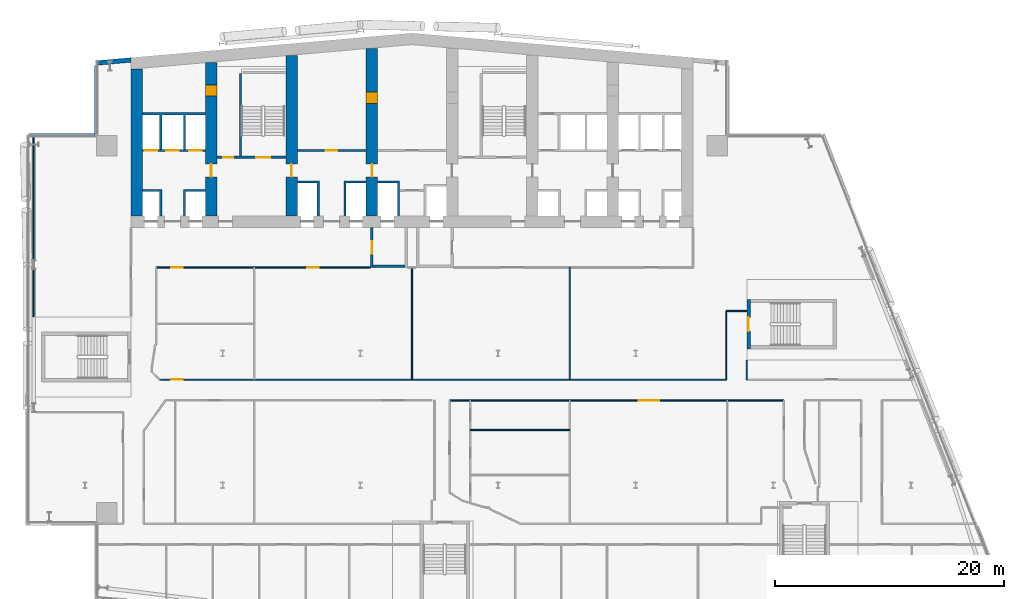
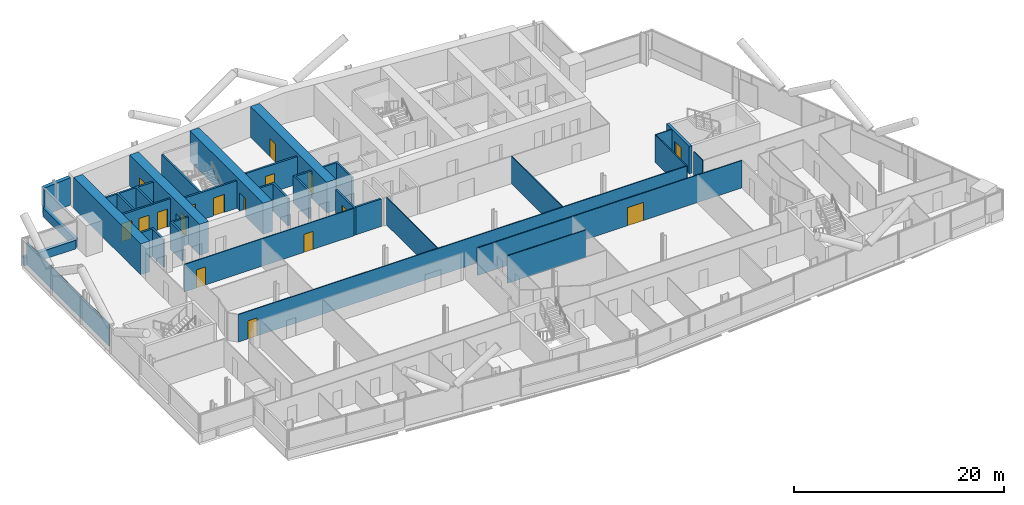
# One storey, part 17 of 28: 30 walls, 17 doors, 17 openings.
"""IFC4 building model written with IfcOpenShell, lengths in metres."""

import ifcopenshell
import ifcopenshell.guid

model = None  # the IFC model being written
_history = None  # IfcOwnerHistory: only IFC2X3 demands one
_inside = {}  # id of a spatial element -> (the spatial element, [elements in it])
_under = {}  # id of a project, library or spatial element -> (it, [spatial elements below it])
_declared = {}  # id of a project -> (the project, [libraries it declares])
_typed = {}  # id of a type object -> (the type object, [elements of that type])
_made_of = {}  # id of a material, layer set ... -> (it, [elements and type objects made of it])


def new_model(schema):
    """Start an empty IFC model of exactly this schema.

    Asked for "IFC4X3", IfcOpenShell would pick the latest addendum, in which some entities
    have other attributes; the version numbers below select the first issue.
    IFC2X3 requires an IfcOwnerHistory on every rooted entity: one is made here for all.
    """
    global model, _history
    if schema == "IFC4X3":
        model = ifcopenshell.file(schema_version=(4, 3, 0, 0))
    else:
        model = ifcopenshell.file(schema=schema)
    _inside.clear()
    _under.clear()
    _declared.clear()
    _typed.clear()
    _made_of.clear()
    _history = None
    if model.schema == "IFC2X3":
        org = make("IfcOrganization", Name="unknown")
        user = make(
            "IfcPersonAndOrganization",
            ThePerson=make("IfcPerson", FamilyName="unknown"),
            TheOrganization=org,
        )
        app = make(
            "IfcApplication",
            ApplicationDeveloper=org,
            Version="unknown",
            ApplicationFullName="unknown",
            ApplicationIdentifier="unknown",
        )
        _history = make(
            "IfcOwnerHistory",
            OwningUser=user,
            OwningApplication=app,
            ChangeAction="ADDED",
            CreationDate=0,
        )
    return model


def make(cls, **values):
    """One entity of the class cls with the attributes given. An attribute that is None is left unset."""
    return model.create_entity(
        cls, **{name: value for name, value in values.items() if value is not None}
    )


def rooted(cls, **values):
    """An entity with a GlobalId (a new one), such as an element, a storey or a relation."""
    return make(cls, GlobalId=ifcopenshell.guid.new(), OwnerHistory=_history, **values)


def si_unit(unit_type, name, prefix=None):
    """IfcSIUnit, for example si_unit("LENGTHUNIT", "METRE", prefix="MILLI")."""
    return make("IfcSIUnit", UnitType=unit_type, Prefix=prefix, Name=name)


def assignment(units):
    """IfcUnitAssignment: the units of a project."""
    return None if units is None else make("IfcUnitAssignment", Units=units)


def point(xyz):
    """IfcCartesianPoint."""
    return None if xyz is None else make("IfcCartesianPoint", Coordinates=xyz)


def direction(xyz):
    """IfcDirection."""
    return None if xyz is None else make("IfcDirection", DirectionRatios=xyz)


def frame(location, z_axis=None, x_axis=None):
    """IfcAxis2Placement3D, a coordinate frame: its origin and axes. An axis left out is left unset."""
    return make(
        "IfcAxis2Placement3D",
        Location=point(location),
        Axis=direction(z_axis),
        RefDirection=direction(x_axis),
    )


def frame_2d(location, x_axis=None):
    """IfcAxis2Placement2D, a coordinate frame in the plane: its origin and x axis."""
    return make(
        "IfcAxis2Placement2D", Location=point(location), RefDirection=direction(x_axis)
    )


def origin():
    """The frame at (0, 0, 0) with its axes left unset."""
    return frame((0.0, 0.0, 0.0))


def place(relative_to, where):
    """IfcLocalPlacement: puts the frame where relative to a parent placement (None: the world)."""
    return make(
        "IfcLocalPlacement", PlacementRelTo=relative_to, RelativePlacement=where
    )


def context(
    kind, dimensions, precision=None, world=None, true_north=None, identifier=None
):
    """IfcGeometricRepresentationContext, for example the 3D "Model" context."""
    return make(
        "IfcGeometricRepresentationContext",
        ContextIdentifier=identifier,
        ContextType=kind,
        CoordinateSpaceDimension=dimensions,
        Precision=precision,
        WorldCoordinateSystem=world,
        TrueNorth=true_north,
    )


def subcontext(parent, identifier, kind, view, scale=None):
    """IfcGeometricRepresentationSubContext, for example "Body" below "Model"."""
    return make(
        "IfcGeometricRepresentationSubContext",
        ContextIdentifier=identifier,
        ContextType=kind,
        ParentContext=parent,
        TargetScale=scale,
        TargetView=view,
    )


def project(units=None, contexts=None):
    """IfcProject with its units and contexts."""
    return rooted(
        "IfcProject",
        Name="project",
        RepresentationContexts=contexts,
        UnitsInContext=assignment(units),
    )


def spatial(cls, under=None, at=None, **own):
    """A site, building, storey or space (cls), placed at a placement, below another one or the project."""
    s = rooted(cls, ObjectPlacement=at, **own)
    if under is not None:
        _under.setdefault(under.id(), (under, []))[1].append(s)
    return s


def polyline(points):
    """IfcPolyline through the points."""
    return make("IfcPolyline", Points=[point(p) for p in points])


def profile(cls, at=None, kind="AREA", **sizes):
    """A parametric profile (cls). Its sizes go by their IFC names, for example OverallWidth=200.0."""
    return make(cls, ProfileType=kind, Position=at, **sizes)


def rectangle(**sizes):
    """IfcRectangleProfileDef."""
    return profile("IfcRectangleProfileDef", **sizes)


def outline(outer, holes=None, kind="AREA"):
    """IfcArbitraryClosedProfileDef: a profile drawn as a closed curve; with holes, ...WithVoids."""
    if holes is None:
        return make("IfcArbitraryClosedProfileDef", ProfileType=kind, OuterCurve=outer)
    return make(
        "IfcArbitraryProfileDefWithVoids",
        ProfileType=kind,
        OuterCurve=outer,
        InnerCurves=holes,
    )


def extrude(swept, where, along, depth):
    """IfcExtrudedAreaSolid: the profile swept, set in the frame where, extruded along a direction by depth."""
    return make(
        "IfcExtrudedAreaSolid",
        SweptArea=swept,
        Position=where,
        ExtrudedDirection=direction(along),
        Depth=depth,
    )


def shape(context_of_items, identifier, shape_type, items):
    """IfcShapeRepresentation: the items that make up one representation, for example the "Body"."""
    return make(
        "IfcShapeRepresentation",
        ContextOfItems=context_of_items,
        RepresentationIdentifier=identifier,
        RepresentationType=shape_type,
        Items=items,
    )


def material(Name=None, Category=None):
    """IfcMaterial."""
    return make("IfcMaterial", Name=Name, Category=Category)


def layer(
    of_material, thickness, ventilated=None, Name=None, Category=None, Priority=None
):
    """IfcMaterialLayer: one layer of a wall or slab, of a material (None: an air gap)."""
    return make(
        "IfcMaterialLayer",
        Material=of_material,
        LayerThickness=thickness,
        IsVentilated=ventilated,
        Name=Name,
        Category=Category,
        Priority=Priority,
    )


def layer_set(layers, Name=None):
    """IfcMaterialLayerSet."""
    return make("IfcMaterialLayerSet", MaterialLayers=layers, LayerSetName=Name)


def made_of(thing, what):
    """Note that an element or type object is made of a material, layer set ...; save() writes the relation."""
    if what is not None:
        _made_of.setdefault(what.id(), (what, []))[1].append(thing)
    return thing


def type_object(cls, material=None, **own):
    """A type object (cls), such as IfcWallType, which elements share."""
    return made_of(rooted(cls, **own), material)


def element(
    cls,
    number,
    at=None,
    inside=None,
    cuts=None,
    type_object=None,
    material=None,
    context=None,
    identifier="Body",
    shape_type=None,
    held_by="IfcProductDefinitionShape",
    body=None,
    shapes=None,
    **own,
):
    """One element of the class cls, such as IfcWall. Its Tag is "e" and its number.

    at: its placement. inside: the storey or other place that contains it. cuts: it is an
    opening in that element (IfcRelVoidsElement). A single representation is given by context,
    identifier, shape_type and body (its items); several are given by shapes. held_by: the class
    of the entity that holds the representations. save() writes the other relations.
    """
    e = rooted(cls, Tag="e%d" % number, ObjectPlacement=at, **own)
    if body is not None:
        shapes = [shape(context, identifier, shape_type, body)]
    if shapes is not None:
        e.Representation = make(held_by, Representations=shapes)
    if inside is not None:
        _inside.setdefault(inside.id(), (inside, []))[1].append(e)
    if cuts is not None:
        rooted(
            "IfcRelVoidsElement", RelatingBuildingElement=cuts, RelatedOpeningElement=e
        )
    if type_object is not None:
        _typed.setdefault(type_object.id(), (type_object, []))[1].append(e)
    return made_of(e, material)


def fill(opening, filler):
    """IfcRelFillsElement: the door or window that sits in an opening."""
    return rooted(
        "IfcRelFillsElement",
        RelatingOpeningElement=opening,
        RelatedBuildingElement=filler,
    )


def aggregate(whole, parts):
    """IfcRelAggregates: a whole, such as a stair, and the parts it consists of."""
    return rooted("IfcRelAggregates", RelatingObject=whole, RelatedObjects=parts)


def save(model, path):
    """Write the relations noted so far, then the file.

    IfcRelAggregates (storeys below a building ...), IfcRelContainedInSpatialStructure (elements
    in a storey), IfcRelDefinesByType, IfcRelAssociatesMaterial and IfcRelDeclares: one each for
    every whole, place, type object, material and project.
    """
    for whole, parts in _under.values():
        aggregate(whole, parts)
    for where, things in _inside.values():
        rooted(
            "IfcRelContainedInSpatialStructure",
            RelatedElements=things,
            RelatingStructure=where,
        )
    for kind, things in _typed.values():
        rooted("IfcRelDefinesByType", RelatedObjects=things, RelatingType=kind)
    for what, things in _made_of.values():
        rooted("IfcRelAssociatesMaterial", RelatedObjects=things, RelatingMaterial=what)
    for by, libraries in _declared.values():
        rooted("IfcRelDeclares", RelatingContext=by, RelatedDefinitions=libraries)
    model.write(path)


model = new_model("IFC4")

# Units and contexts
model_context = context("Model", 3, precision=1e-05, world=origin(), true_north=direction((0.0, 1.0)))
body_context = subcontext(model_context, "Body", "Model", "MODEL_VIEW")
ifc_project = project(units=[si_unit("LENGTHUNIT", "METRE"), si_unit("AREAUNIT", "SQUARE_METRE"), si_unit("VOLUMEUNIT", "CUBIC_METRE"), si_unit("PLANEANGLEUNIT", "RADIAN"), si_unit("MASSUNIT", "GRAM", prefix="KILO")], contexts=[model_context])

# Site, building, storey
site_placement = place(None, origin())
site = spatial("IfcSite", under=ifc_project, at=site_placement, CompositionType="ELEMENT")
building_placement = place(site_placement, origin())
building = spatial("IfcBuilding", under=site, at=building_placement, Name="Wharfspan Tower", CompositionType="ELEMENT")
storey_placement = place(building_placement, frame((0.0, 0.0, 132.699951)))
storey = spatial("IfcBuildingStorey", under=building, at=storey_placement, Name="L31", CompositionType="ELEMENT", Elevation=132.699951)

# Wall, openings, doors
ifc_material_1 = material(Name="Gypsum board on steel studs", Category="steel")
ifc_layer_1 = layer(ifc_material_1, 0.100098)
ifc_layer_set_1 = layer_set([ifc_layer_1], Name="Gypsum board on steel studs")
wall_type_1 = type_object("IfcWallType", Name="Compartment wall 100 EI 60", PredefinedType="PARTITIONING", material=ifc_layer_set_1)
wall_1_placement = place(storey_placement, frame((18.199951, 30.5, 0.0), z_axis=(0.0, 0.0, 1.0), x_axis=(1.0, 0.0, 0.0)))
wall_1 = element("IfcWall", 1, at=wall_1_placement, inside=storey, type_object=wall_type_1, Name="Partition L31.w017", PredefinedType="PARTITIONING", context=body_context, shape_type="SweptSolid", body=[
    extrude(rectangle(XDim=18.650146, YDim=0.100098, at=frame_2d((9.325195, 0.0))), origin(), (0.0, 0.0, 1.0), 3.199951),
])
opening_1_placement = place(wall_1_placement, frame((1.330078, 0.0, 0.0)))
opening_1 = element("IfcOpeningElement", 2, at=opening_1_placement, cuts=wall_1, Name="Opening B5-30", PredefinedType="OPENING", context=body_context, shape_type="SweptSolid", body=[
    extrude(rectangle(XDim=1.0, YDim=2.100098, at=frame_2d((0.5, 1.050049))), frame((0.0, 0.060059, 0.0), z_axis=(0.0, -1.0, 0.0), x_axis=(1.0, 0.0, 0.0)), (0.0, 0.0, 1.0), 0.120117),
])
opening_2_placement = place(wall_1_placement, frame((13.169922, 0.0, 0.0)))
opening_2 = element("IfcOpeningElement", 3, at=opening_2_placement, cuts=wall_1, Name="Opening B5-31", PredefinedType="OPENING", context=body_context, shape_type="SweptSolid", body=[
    extrude(rectangle(XDim=1.0, YDim=2.100098, at=frame_2d((0.5, 1.050049))), frame((0.0, 0.060059, 0.0), z_axis=(0.0, -1.0, 0.0), x_axis=(1.0, 0.0, 0.0)), (0.0, 0.0, 1.0), 0.120117),
])
ifc_material_2 = material(Name="Fire-rated timber door leaf in steel frame", Category="steel")
door_type_1 = type_object("IfcDoorType", Name="Door 1000 FD30S Left", OperationType="SINGLE_SWING_LEFT", PredefinedType="DOOR", material=ifc_material_2)
door_1_placement = place(opening_1_placement, origin())
door_1 = element("IfcDoor", 4, at=door_1_placement, inside=storey, type_object=door_type_1, Name="Door B5-30", OperationType="SINGLE_SWING_LEFT", OverallHeight=2.100098, OverallWidth=1.0, PredefinedType="DOOR", context=body_context, shape_type="SweptSolid", body=[
    extrude(rectangle(XDim=1.0, YDim=2.100098, at=frame_2d((0.5, 1.050049))), frame((0.0, 0.024902, 0.0), z_axis=(0.0, -1.0, 0.0), x_axis=(1.0, 0.0, 0.0)), (0.0, 0.0, 1.0), 0.050049),
])
fill(opening_1, door_1)
door_2_placement = place(opening_2_placement, origin())
door_2 = element("IfcDoor", 5, at=door_2_placement, inside=storey, type_object=door_type_1, Name="Door B5-31", OperationType="SINGLE_SWING_LEFT", OverallHeight=2.100098, OverallWidth=1.0, PredefinedType="DOOR", context=body_context, shape_type="SweptSolid", body=[
    extrude(rectangle(XDim=1.0, YDim=2.100098, at=frame_2d((0.5, 1.050049))), frame((0.0, 0.024902, 0.0), z_axis=(0.0, -1.0, 0.0), x_axis=(1.0, 0.0, 0.0)), (0.0, 0.0, 1.0), 0.050049),
])
fill(opening_2, door_2)

# Wall, opening, door
wall_2_placement = place(storey_placement, frame((18.504883, 20.715088, 0.0), z_axis=(0.0, 0.0, 1.0), x_axis=(1.0, 0.0, 0.0)))
wall_2 = element("IfcWall", 6, at=wall_2_placement, inside=storey, type_object=wall_type_1, Name="Partition L31.w019", PredefinedType="PARTITIONING", context=body_context, shape_type="SweptSolid", body=[
    extrude(rectangle(XDim=49.38501, YDim=0.100098, at=frame_2d((24.692383, 0.0))), origin(), (0.0, 0.0, 1.0), 3.199951),
])
opening_3_placement = place(wall_2_placement, frame((1.024902, 0.0, 0.0)))
opening_3 = element("IfcOpeningElement", 7, at=opening_3_placement, cuts=wall_2, Name="Opening B5-27", PredefinedType="OPENING", context=body_context, shape_type="SweptSolid", body=[
    extrude(rectangle(XDim=1.0, YDim=2.100098, at=frame_2d((0.5, 1.050049))), frame((0.0, 0.060059, 0.0), z_axis=(0.0, -1.0, 0.0), x_axis=(1.0, 0.0, 0.0)), (0.0, 0.0, 1.0), 0.120117),
])
door_3_placement = place(opening_3_placement, origin())
door_3 = element("IfcDoor", 8, at=door_3_placement, inside=storey, type_object=door_type_1, Name="Door B5-27", OperationType="SINGLE_SWING_LEFT", OverallHeight=2.100098, OverallWidth=1.0, PredefinedType="DOOR", context=body_context, shape_type="SweptSolid", body=[
    extrude(rectangle(XDim=1.0, YDim=2.100098, at=frame_2d((0.5, 1.050049))), frame((0.0, 0.024902, 0.0), z_axis=(0.0, -1.0, 0.0), x_axis=(1.0, 0.0, 0.0)), (0.0, 0.0, 1.0), 0.050049),
])
fill(opening_3, door_3)

# Wall
wall_3_placement = place(storey_placement, frame((40.5, 20.715088, 0.0), z_axis=(0.0, 0.0, 1.0), x_axis=(0.0, 1.0, 0.0)))
element("IfcWall", 9, at=wall_3_placement, inside=storey, type_object=wall_type_1, Name="Partition L31.w033", PredefinedType="PARTITIONING", context=body_context, shape_type="SweptSolid", body=[
    extrude(rectangle(XDim=9.784912, YDim=0.100098, at=frame_2d((4.892578, 0.0))), origin(), (0.0, 0.0, 1.0), 3.199951),
])

# Wall, opening, door
wall_4_placement = place(storey_placement, frame((43.794922, 18.905029, 0.0), z_axis=(0.0, 0.0, 1.0), x_axis=(1.0, 0.0, 0.0)))
wall_4 = element("IfcWall", 10, at=wall_4_placement, inside=storey, type_object=wall_type_1, Name="Partition L31.w038", PredefinedType="PARTITIONING", context=body_context, shape_type="SweptSolid", body=[
    extrude(rectangle(XDim=29.120117, YDim=0.100098, at=frame_2d((14.560059, 0.0))), origin(), (0.0, 0.0, 1.0), 3.199951),
])
opening_4_placement = place(wall_4_placement, frame((16.475098, 0.0, 0.0)))
opening_4 = element("IfcOpeningElement", 11, at=opening_4_placement, cuts=wall_4, Name="Opening B5-26", PredefinedType="OPENING", context=body_context, shape_type="SweptSolid", body=[
    extrude(rectangle(XDim=1.800049, YDim=2.100098, at=frame_2d((0.899902, 1.050049))), frame((0.0, 0.060059, 0.0), z_axis=(0.0, -1.0, 0.0), x_axis=(1.0, 0.0, 0.0)), (0.0, 0.0, 1.0), 0.120117),
])
door_type_2 = type_object("IfcDoorType", Name="Door 1800 FD30S Double", OperationType="DOUBLE_DOOR_SINGLE_SWING", PredefinedType="DOOR", material=ifc_material_2)
door_4_placement = place(opening_4_placement, origin())
door_4 = element("IfcDoor", 12, at=door_4_placement, inside=storey, type_object=door_type_2, Name="Door B5-26", OperationType="DOUBLE_DOOR_SINGLE_SWING", OverallHeight=2.100098, OverallWidth=1.800049, PredefinedType="DOOR", context=body_context, shape_type="SweptSolid", body=[
    extrude(rectangle(XDim=1.800049, YDim=2.100098, at=frame_2d((0.899902, 1.050049))), frame((0.0, 0.024902, 0.0), z_axis=(0.0, -1.0, 0.0), x_axis=(1.0, 0.0, 0.0)), (0.0, 0.0, 1.0), 0.050049),
])
fill(opening_4, door_4)

# Walls
wall_5_placement = place(storey_placement, frame((54.25, 20.715088, 0.0), z_axis=(0.0, 0.0, 1.0), x_axis=(0.0, 1.0, 0.0)))
element("IfcWall", 13, at=wall_5_placement, inside=storey, type_object=wall_type_1, Name="Partition L31.w053", PredefinedType="PARTITIONING", context=body_context, shape_type="SweptSolid", body=[
    extrude(rectangle(XDim=9.784912, YDim=0.100098, at=frame_2d((4.892578, 0.0))), origin(), (0.0, 0.0, 1.0), 3.199951),
])
wall_6_placement = place(storey_placement, frame((67.889893, 20.715088, 0.0), z_axis=(0.0, 0.0, 1.0), x_axis=(0.0, 1.0, 0.0)))
element("IfcWall", 14, at=wall_6_placement, inside=storey, type_object=wall_type_1, Name="Partition L31.w058", PredefinedType="PARTITIONING", context=body_context, shape_type="SweptSolid", body=[
    extrude(rectangle(XDim=5.984863, YDim=0.100098, at=frame_2d((2.992432, 0.0))), origin(), (0.0, 0.0, 1.0), 3.199951),
])
wall_7_placement = place(storey_placement, frame((67.889893, 26.699951, 0.0), z_axis=(0.0, 0.0, 1.0), x_axis=(1.0, 0.0, 0.0)))
element("IfcWall", 15, at=wall_7_placement, inside=storey, type_object=wall_type_1, Name="Partition L31.w059", PredefinedType="PARTITIONING", context=body_context, shape_type="SweptSolid", body=[
    extrude(rectangle(XDim=1.780518, YDim=0.100098, at=frame_2d((0.890137, 0.0))), origin(), (0.0, 0.0, 1.0), 3.199951),
])
wall_8_placement = place(storey_placement, frame((69.689941, 20.715088, 0.0), z_axis=(0.0, 0.0, 1.0), x_axis=(0.0, 1.0, 0.0)))
element("IfcWall", 16, at=wall_8_placement, inside=storey, type_object=wall_type_1, Name="Partition L31.w061", PredefinedType="PARTITIONING", context=body_context, shape_type="SweptSolid", body=[
    extrude(rectangle(XDim=1.714844, YDim=0.100098, at=frame_2d((0.857422, 0.0))), origin(), (0.0, 0.0, 1.0), 3.199951),
])
ifc_material_3 = material(Name="Concrete C70/85", Category="concrete")
ifc_layer_2 = layer(ifc_material_3, 1.0)
ifc_layer_set_2 = layer_set([ifc_layer_2], Name="Concrete C70/85")
wall_type_2 = type_object("IfcWallType", Name="Core wall 1000 C70/85", PredefinedType="SHEAR", material=ifc_layer_set_2)
wall_9_placement = place(storey_placement, frame((16.5, 35.0, 0.0), z_axis=(0.0, 0.0, 1.0), x_axis=(0.0, 1.0, 0.0)))
element("IfcWall", 17, at=wall_9_placement, inside=storey, type_object=wall_type_2, Name="Core cross wall EW0 L31", PredefinedType="SHEAR", context=body_context, shape_type="SweptSolid", body=[
    extrude(rectangle(XDim=12.783691, YDim=1.0, at=frame_2d((6.391846, 0.0))), origin(), (0.0, 0.0, 1.0), 3.600098),
])

# Wall, openings, doors
wall_10_placement = place(storey_placement, frame((23.0, 35.0, 0.0), z_axis=(0.0, 0.0, 1.0), x_axis=(0.0, 1.0, 0.0)))
wall_10 = element("IfcWall", 18, at=wall_10_placement, inside=storey, type_object=wall_type_2, Name="Core cross wall X2 L31", PredefinedType="SHEAR", context=body_context, shape_type="SweptSolid", body=[
    extrude(rectangle(XDim=13.352295, YDim=1.0, at=frame_2d((6.67627, 0.0))), origin(), (0.0, 0.0, 1.0), 3.600098),
])
opening_5_placement = place(wall_10_placement, frame((10.425537, 0.0, 0.0)))
opening_5 = element("IfcOpeningElement", 19, at=opening_5_placement, cuts=wall_10, Name="Opening CD31.1X", PredefinedType="OPENING", context=body_context, shape_type="SweptSolid", body=[
    extrude(rectangle(XDim=1.0, YDim=2.100098, at=frame_2d((0.5, 1.050049))), frame((0.0, 0.51001, 0.0), z_axis=(0.0, -1.0, 0.0), x_axis=(1.0, 0.0, 0.0)), (0.0, 0.0, 1.0), 1.02002),
])
opening_6_placement = place(wall_10_placement, frame((3.399902, 0.0, 0.0)))
opening_6 = element("IfcOpeningElement", 20, at=opening_6_placement, cuts=wall_10, Name="Opening CC31.2", PredefinedType="OPENING", context=body_context, shape_type="SweptSolid", body=[
    extrude(rectangle(XDim=1.100098, YDim=2.100098, at=frame_2d((0.550049, 1.050049))), frame((0.0, 0.51001, 0.0), z_axis=(0.0, -1.0, 0.0), x_axis=(1.0, 0.0, 0.0)), (0.0, 0.0, 1.0), 1.02002),
])
ifc_material_4 = material(Name="Steel door leaf", Category="steel")
door_type_3 = type_object("IfcDoorType", Name="Core corridor door 1100x2100", OperationType="SINGLE_SWING_LEFT", PredefinedType="DOOR", material=ifc_material_4)
door_5_placement = place(opening_6_placement, origin())
door_5 = element("IfcDoor", 21, at=door_5_placement, inside=storey, type_object=door_type_3, Name="xd:L31:2", OperationType="SINGLE_SWING_RIGHT", OverallHeight=2.100098, OverallWidth=1.100098, PredefinedType="DOOR", context=body_context, shape_type="SweptSolid", body=[
    extrude(rectangle(XDim=1.100098, YDim=2.100098, at=frame_2d((0.550049, 1.050049))), frame((0.0, 0.024902, 0.0), z_axis=(0.0, -1.0, 0.0), x_axis=(1.0, 0.0, 0.0)), (0.0, 0.0, 1.0), 0.050049),
])
fill(opening_6, door_5)
door_type_4 = type_object("IfcDoorType", Name="Core room door 1000x2100", OperationType="SINGLE_SWING_LEFT", PredefinedType="DOOR", material=ifc_material_4)
door_6_placement = place(opening_5_placement, origin())
door_6 = element("IfcDoor", 22, at=door_6_placement, inside=storey, type_object=door_type_4, Name="d:L31:1:sx", OperationType="SINGLE_SWING_LEFT", OverallHeight=2.100098, OverallWidth=1.0, PredefinedType="DOOR", context=body_context, shape_type="SweptSolid", body=[
    extrude(rectangle(XDim=1.0, YDim=2.100098, at=frame_2d((0.5, 1.050049))), frame((0.0, 0.499756, 0.0), z_axis=(0.0, -1.0, 0.0), x_axis=(1.0, 0.0, 0.0)), (0.0, 0.0, 1.0), 0.999512),
])
fill(opening_5, door_6)

# Wall, opening, door
wall_11_placement = place(storey_placement, frame((30.0, 35.0, 0.0), z_axis=(0.0, 0.0, 1.0), x_axis=(0.0, 1.0, 0.0)))
wall_11 = element("IfcWall", 23, at=wall_11_placement, inside=storey, type_object=wall_type_2, Name="Core cross wall X3 L31", PredefinedType="SHEAR", context=body_context, shape_type="SweptSolid", body=[
    extrude(rectangle(XDim=13.9646, YDim=1.0, at=frame_2d((6.982422, 0.0))), origin(), (0.0, 0.0, 1.0), 3.600098),
])
opening_7_placement = place(wall_11_placement, frame((3.399902, 0.0, 0.0)))
opening_7 = element("IfcOpeningElement", 24, at=opening_7_placement, cuts=wall_11, Name="Opening CC31.3", PredefinedType="OPENING", context=body_context, shape_type="SweptSolid", body=[
    extrude(rectangle(XDim=1.100098, YDim=2.100098, at=frame_2d((0.550049, 1.050049))), frame((0.0, 0.51001, 0.0), z_axis=(0.0, -1.0, 0.0), x_axis=(1.0, 0.0, 0.0)), (0.0, 0.0, 1.0), 1.02002),
])
door_7_placement = place(opening_7_placement, origin())
door_7 = element("IfcDoor", 25, at=door_7_placement, inside=storey, type_object=door_type_3, Name="xd:L31:3", OperationType="SINGLE_SWING_LEFT", OverallHeight=2.100098, OverallWidth=1.100098, PredefinedType="DOOR", context=body_context, shape_type="SweptSolid", body=[
    extrude(rectangle(XDim=1.100098, YDim=2.100098, at=frame_2d((0.550049, 1.050049))), frame((0.0, 0.024902, 0.0), z_axis=(0.0, -1.0, 0.0), x_axis=(1.0, 0.0, 0.0)), (0.0, 0.0, 1.0), 0.050049),
])
fill(opening_7, door_7)

# Wall, openings, doors
wall_12_placement = place(storey_placement, frame((37.0, 35.0, 0.0), z_axis=(0.0, 0.0, 1.0), x_axis=(0.0, 1.0, 0.0)))
wall_12 = element("IfcWall", 26, at=wall_12_placement, inside=storey, type_object=wall_type_2, Name="Core cross wall X4 L31", PredefinedType="SHEAR", context=body_context, shape_type="SweptSolid", body=[
    extrude(rectangle(XDim=14.577148, YDim=1.0, at=frame_2d((7.288574, 0.0))), origin(), (0.0, 0.0, 1.0), 3.600098),
])
opening_8_placement = place(wall_12_placement, frame((3.399902, 0.0, 0.0)))
opening_8 = element("IfcOpeningElement", 27, at=opening_8_placement, cuts=wall_12, Name="Opening CC31.4", PredefinedType="OPENING", context=body_context, shape_type="SweptSolid", body=[
    extrude(rectangle(XDim=1.100098, YDim=2.100098, at=frame_2d((0.550049, 1.050049))), frame((0.0, 0.51001, 0.0), z_axis=(0.0, -1.0, 0.0), x_axis=(1.0, 0.0, 0.0)), (0.0, 0.0, 1.0), 1.02002),
])
opening_9_placement = place(wall_12_placement, frame((9.800049, 0.0, 0.0)))
opening_9 = element("IfcOpeningElement", 28, at=opening_9_placement, cuts=wall_12, Name="Opening CR31.4", PredefinedType="OPENING", context=body_context, shape_type="SweptSolid", body=[
    extrude(rectangle(XDim=1.0, YDim=2.100098, at=frame_2d((0.5, 1.050049))), frame((0.0, 0.51001, 0.0), z_axis=(0.0, -1.0, 0.0), x_axis=(1.0, 0.0, 0.0)), (0.0, 0.0, 1.0), 1.02002),
])
door_8_placement = place(opening_8_placement, origin())
door_8 = element("IfcDoor", 29, at=door_8_placement, inside=storey, type_object=door_type_3, Name="xd:L31:4", OperationType="SINGLE_SWING_RIGHT", OverallHeight=2.100098, OverallWidth=1.100098, PredefinedType="DOOR", context=body_context, shape_type="SweptSolid", body=[
    extrude(rectangle(XDim=1.100098, YDim=2.100098, at=frame_2d((0.550049, 1.050049))), frame((0.0, 0.024902, 0.0), z_axis=(0.0, -1.0, 0.0), x_axis=(1.0, 0.0, 0.0)), (0.0, 0.0, 1.0), 0.050049),
])
fill(opening_8, door_8)
door_9_placement = place(opening_9_placement, origin())
door_9 = element("IfcDoor", 30, at=door_9_placement, inside=storey, type_object=door_type_4, Name="xr:L31:4", OperationType="SINGLE_SWING_RIGHT", OverallHeight=2.100098, OverallWidth=1.0, PredefinedType="DOOR", context=body_context, shape_type="SweptSolid", body=[
    extrude(rectangle(XDim=1.0, YDim=2.100098, at=frame_2d((0.5, 1.050049))), frame((0.0, 0.499756, 0.0), z_axis=(0.0, -1.0, 0.0), x_axis=(1.0, 0.0, 0.0)), (0.0, 0.0, 1.0), 0.999512),
])
fill(opening_9, door_9)

ifc_material_5 = material(Name="Concrete C30/37", Category="concrete")
ifc_layer_3 = layer(ifc_material_5, 0.199951)
ifc_layer_set_3 = layer_set([ifc_layer_3], Name="Concrete C30/37")
wall_type_3 = type_object("IfcWallType", Name="Lift shaft wall 200", PredefinedType="PARTITIONING", material=ifc_layer_set_3)
wall_13_placement = place(storey_placement, frame((17.0, 40.699951, 0.0), z_axis=(0.0, 0.0, 1.0), x_axis=(1.0, 0.0, 0.0)))
wall_13 = element("IfcWall", 31, at=wall_13_placement, inside=storey, type_object=wall_type_3, Name="sw:L31:RF1", PredefinedType="PARTITIONING", context=body_context, shape_type="SweptSolid", body=[
    extrude(rectangle(XDim=5.5, YDim=0.199951, at=frame_2d((2.75, 0.0))), origin(), (0.0, 0.0, 1.0), 3.199951),
])
opening_10_placement = place(wall_13_placement, frame((0.199951, 0.0, 0.0)))
opening_10 = element("IfcOpeningElement", 32, at=opening_10_placement, cuts=wall_13, Name="Opening LD.LA3.L31", PredefinedType="OPENING", context=body_context, shape_type="SweptSolid", body=[
    extrude(rectangle(XDim=1.100098, YDim=2.100098, at=frame_2d((0.550049, 1.050049))), frame((0.0, 0.109863, 0.0), z_axis=(0.0, -1.0, 0.0), x_axis=(1.0, 0.0, 0.0)), (0.0, 0.0, 1.0), 0.219971),
])
opening_11_placement = place(wall_13_placement, frame((2.083252, 0.0, 0.0)))
opening_11 = element("IfcOpeningElement", 33, at=opening_11_placement, cuts=wall_13, Name="Opening LD.LA4.L31", PredefinedType="OPENING", context=body_context, shape_type="SweptSolid", body=[
    extrude(rectangle(XDim=1.100098, YDim=2.100098, at=frame_2d((0.550049, 1.050049))), frame((0.0, 0.109863, 0.0), z_axis=(0.0, -1.0, 0.0), x_axis=(1.0, 0.0, 0.0)), (0.0, 0.0, 1.0), 0.219971),
])
opening_12_placement = place(wall_13_placement, frame((4.083252, 0.0, 0.0)))
opening_12 = element("IfcOpeningElement", 34, at=opening_12_placement, cuts=wall_13, Name="Opening LD.LA5.L31", PredefinedType="OPENING", context=body_context, shape_type="SweptSolid", body=[
    extrude(rectangle(XDim=1.100098, YDim=2.100098, at=frame_2d((0.550049, 1.050049))), frame((0.0, 0.109863, 0.0), z_axis=(0.0, -1.0, 0.0), x_axis=(1.0, 0.0, 0.0)), (0.0, 0.0, 1.0), 0.219971),
])
ifc_material_6 = material(Name="Stainless steel", Category="steel")
door_type_5 = type_object("IfcDoorType", Name="Lift landing door 1100x2100", OperationType="DOUBLE_DOOR_SLIDING", PredefinedType="DOOR", material=ifc_material_6)
door_10_placement = place(opening_10_placement, origin())
door_10 = element("IfcDoor", 35, at=door_10_placement, inside=storey, type_object=door_type_5, Name="Landing door LA3 L31", OperationType="DOUBLE_DOOR_SLIDING", OverallHeight=2.100098, OverallWidth=1.100098, PredefinedType="DOOR", context=body_context, shape_type="SweptSolid", body=[
    extrude(rectangle(XDim=1.100098, YDim=2.100098, at=frame_2d((0.550049, 1.050049))), frame((0.0, 0.024902, 0.0), z_axis=(0.0, -1.0, 0.0), x_axis=(1.0, 0.0, 0.0)), (0.0, 0.0, 1.0), 0.050049),
])
fill(opening_10, door_10)
door_11_placement = place(opening_11_placement, origin())
door_11 = element("IfcDoor", 36, at=door_11_placement, inside=storey, type_object=door_type_5, Name="Landing door LA4 L31", OperationType="DOUBLE_DOOR_SLIDING", OverallHeight=2.100098, OverallWidth=1.100098, PredefinedType="DOOR", context=body_context, shape_type="SweptSolid", body=[
    extrude(rectangle(XDim=1.100098, YDim=2.100098, at=frame_2d((0.550049, 1.050049))), frame((0.0, 0.024902, 0.0), z_axis=(0.0, -1.0, 0.0), x_axis=(1.0, 0.0, 0.0)), (0.0, 0.0, 1.0), 0.050049),
])
fill(opening_11, door_11)
door_12_placement = place(opening_12_placement, origin())
door_12 = element("IfcDoor", 37, at=door_12_placement, inside=storey, type_object=door_type_5, Name="Landing door LA5 L31", OperationType="DOUBLE_DOOR_SLIDING", OverallHeight=2.100098, OverallWidth=1.100098, PredefinedType="DOOR", context=body_context, shape_type="SweptSolid", body=[
    extrude(rectangle(XDim=1.100098, YDim=2.100098, at=frame_2d((0.550049, 1.050049))), frame((0.0, 0.024902, 0.0), z_axis=(0.0, -1.0, 0.0), x_axis=(1.0, 0.0, 0.0)), (0.0, 0.0, 1.0), 0.050049),
])
fill(opening_12, door_12)

# Walls
wall_14_placement = place(storey_placement, frame((0.0, 0.0, -0.000244)))
element("IfcWall", 38, at=wall_14_placement, inside=storey, type_object=wall_type_3, Name="sw:L31:FM1.0", PredefinedType="PARTITIONING", context=body_context, shape_type="SweptSolid", body=[
    extrude(outline(polyline([(18.5, 37.100098), (17.0, 37.100098), (17.0, 37.300049), (18.5, 37.300049), (18.699951, 37.300049), (18.699951, 35.0), (18.5, 35.0), (18.5, 37.100098)])), origin(), (0.0, 0.0, 1.0), 3.200195),
])
wall_15_placement = place(storey_placement, frame((0.0, 0.0, -0.000244)))
element("IfcWall", 39, at=wall_15_placement, inside=storey, type_object=wall_type_3, Name="sw:L31:FM1.1", PredefinedType="PARTITIONING", context=body_context, shape_type="SweptSolid", body=[
    extrude(outline(polyline([(20.56665, 37.300049), (20.766602, 37.300049), (22.5, 37.300049), (22.5, 37.100098), (20.766602, 37.100098), (20.766602, 35.0), (20.56665, 35.0), (20.56665, 37.300049)])), origin(), (0.0, 0.0, 1.0), 3.200195),
])
wall_16_placement = place(storey_placement, frame((0.0, 0.0, -0.000244)))
element("IfcWall", 40, at=wall_16_placement, inside=storey, type_object=wall_type_3, Name="sw:L31:RM1.0", PredefinedType="PARTITIONING", context=body_context, shape_type="SweptSolid", body=[
    extrude(outline(polyline([(18.699951, 40.800049), (18.5, 40.800049), (18.5, 43.800049), (17.0, 43.800049), (17.0, 44.0), (22.5, 44.0), (22.5, 43.800049), (20.766602, 43.800049), (20.766602, 40.800049), (20.56665, 40.800049), (20.56665, 43.800049), (18.699951, 43.800049), (18.699951, 40.800049)])), origin(), (0.0, 0.0, 1.0), 3.200195),
])

# Wall, opening, door
wall_17_placement = place(storey_placement, frame((30.5, 40.699951, 0.0), z_axis=(0.0, 0.0, 1.0), x_axis=(1.0, 0.0, 0.0)))
wall_17 = element("IfcWall", 41, at=wall_17_placement, inside=storey, type_object=wall_type_3, Name="sw:L31:RF3", PredefinedType="PARTITIONING", context=body_context, shape_type="SweptSolid", body=[
    extrude(rectangle(XDim=6.0, YDim=0.199951, at=frame_2d((3.0, 0.0))), origin(), (0.0, 0.0, 1.0), 3.199951),
])
opening_13_placement = place(wall_17_placement, frame((2.5, 0.0, 0.0)))
opening_13 = element("IfcOpeningElement", 42, at=opening_13_placement, cuts=wall_17, Name="Opening CD31.3S", PredefinedType="OPENING", context=body_context, shape_type="SweptSolid", body=[
    extrude(rectangle(XDim=1.0, YDim=2.100098, at=frame_2d((0.5, 1.050049))), frame((0.0, 0.109863, 0.0), z_axis=(0.0, -1.0, 0.0), x_axis=(1.0, 0.0, 0.0)), (0.0, 0.0, 1.0), 0.219971),
])
door_13_placement = place(opening_13_placement, origin())
door_13 = element("IfcDoor", 43, at=door_13_placement, inside=storey, type_object=door_type_4, Name="d:L31:3:sf", OperationType="SINGLE_SWING_LEFT", OverallHeight=2.100098, OverallWidth=1.0, PredefinedType="DOOR", context=body_context, shape_type="SweptSolid", body=[
    extrude(rectangle(XDim=1.0, YDim=2.100098, at=frame_2d((0.5, 1.050049))), frame((0.0, 0.024902, 0.0), z_axis=(0.0, -1.0, 0.0), x_axis=(1.0, 0.0, 0.0)), (0.0, 0.0, 1.0), 0.050049),
])
fill(opening_13, door_13)

# Walls
wall_18_placement = place(storey_placement, frame((0.0, 0.0, -0.000244)))
element("IfcWall", 44, at=wall_18_placement, inside=storey, type_object=wall_type_3, Name="sw:L31:FM3.0", PredefinedType="PARTITIONING", context=body_context, shape_type="SweptSolid", body=[
    extrude(outline(polyline([(32.233398, 37.850098), (30.5, 37.850098), (30.5, 38.050049), (32.233398, 38.050049), (32.43335, 38.050049), (32.43335, 35.0), (32.233398, 35.0), (32.233398, 37.850098)])), origin(), (0.0, 0.0, 1.0), 3.200195),
])
wall_19_placement = place(storey_placement, frame((0.0, 0.0, -0.000244)))
element("IfcWall", 45, at=wall_19_placement, inside=storey, type_object=wall_type_3, Name="sw:L31:FM3.1", PredefinedType="PARTITIONING", context=body_context, shape_type="SweptSolid", body=[
    extrude(outline(polyline([(34.56665, 38.050049), (34.766602, 38.050049), (36.5, 38.050049), (36.5, 37.850098), (34.766602, 37.850098), (34.766602, 35.0), (34.56665, 35.0), (34.56665, 38.050049)])), origin(), (0.0, 0.0, 1.0), 3.200195),
])
wall_20_placement = place(storey_placement, frame((0.0, 0.0, -0.000244)))
element("IfcWall", 46, at=wall_20_placement, inside=storey, type_object=wall_type_3, Name="sw:L31:FM4.1", PredefinedType="PARTITIONING", context=body_context, shape_type="SweptSolid", body=[
    extrude(outline(polyline([(39.233398, 37.850098), (37.5, 37.850098), (37.5, 38.050049), (39.233398, 38.050049), (39.43335, 38.050049), (39.43335, 35.0), (39.233398, 35.0), (39.233398, 37.850098)])), origin(), (0.0, 0.0, 1.0), 3.200195),
])

# Wall, opening, door
ifc_layer_4 = layer(ifc_material_5, 0.199951)
ifc_layer_set_4 = layer_set([ifc_layer_4], Name="Concrete C30/37")
wall_type_4 = type_object("IfcWallType", Name="Lobby wall 200", PredefinedType="PARTITIONING", material=ifc_layer_set_4)
wall_21_placement = place(storey_placement, frame((37.0, 30.5, 0.0), z_axis=(0.0, 0.0, 1.0), x_axis=(0.0, 1.0, 0.0)))
wall_21 = element("IfcWall", 47, at=wall_21_placement, inside=storey, type_object=wall_type_4, Name="sw:L31:FLFF1W", PredefinedType="PARTITIONING", context=body_context, shape_type="SweptSolid", body=[
    extrude(rectangle(XDim=3.5, YDim=0.199951, at=frame_2d((1.75, 0.0))), origin(), (0.0, 0.0, 1.0), 3.199951),
])
opening_14_placement = place(wall_21_placement, frame((1.199951, 0.0, 0.0)))
opening_14 = element("IfcOpeningElement", 48, at=opening_14_placement, cuts=wall_21, Name="Opening FL.FF1.L31", PredefinedType="OPENING", context=body_context, shape_type="SweptSolid", body=[
    extrude(rectangle(XDim=1.100098, YDim=2.100098, at=frame_2d((0.550049, 1.050049))), frame((0.0, 0.109863, 0.0), z_axis=(0.0, -1.0, 0.0), x_axis=(1.0, 0.0, 0.0)), (0.0, 0.0, 1.0), 0.219971),
])
door_type_6 = type_object("IfcDoorType", Name="Firefighting lobby door 1100x2100", OperationType="SINGLE_SWING_LEFT", PredefinedType="DOOR", material=ifc_material_4)
door_14_placement = place(opening_14_placement, origin())
door_14 = element("IfcDoor", 49, at=door_14_placement, inside=storey, type_object=door_type_6, Name="fd:L31:FF1", OperationType="SINGLE_SWING_LEFT", OverallHeight=2.100098, OverallWidth=1.100098, PredefinedType="DOOR", context=body_context, shape_type="SweptSolid", body=[
    extrude(rectangle(XDim=1.100098, YDim=2.100098, at=frame_2d((0.550049, 1.050049))), frame((0.0, 0.024902, 0.0), z_axis=(0.0, -1.0, 0.0), x_axis=(1.0, 0.0, 0.0)), (0.0, 0.0, 1.0), 0.050049),
])
fill(opening_14, door_14)

# Walls
wall_22_placement = place(storey_placement, frame((37.100098, 30.600098, 0.0), z_axis=(0.0, 0.0, 1.0), x_axis=(1.0, 0.0, 0.0)))
element("IfcWall", 50, at=wall_22_placement, inside=storey, type_object=wall_type_4, Name="sw:L31:FLFF1F", PredefinedType="PARTITIONING", context=body_context, shape_type="SweptSolid", body=[
    extrude(rectangle(XDim=2.799805, YDim=0.199951, at=frame_2d((1.399902, 0.0))), origin(), (0.0, 0.0, 1.0), 3.199951),
])
ifc_layer_5 = layer(ifc_material_1, 0.100098)
ifc_layer_set_5 = layer_set([ifc_layer_5], Name="Gypsum board on steel studs")
wall_type_5 = type_object("IfcWallType", Name="Partition 100", PredefinedType="PARTITIONING", material=ifc_layer_set_5)
wall_23_placement = place(storey_placement, frame((7.51001, 26.219971, 0.0), z_axis=(0.0, 0.0, 1.0), x_axis=(0.0, 1.0, 0.0)))
element("IfcWall", 51, at=wall_23_placement, inside=storey, type_object=wall_type_5, Name="Partition L31.w002", PredefinedType="PARTITIONING", context=body_context, shape_type="SweptSolid", body=[
    extrude(rectangle(XDim=15.76001, YDim=0.100098, at=frame_2d((7.879883, 0.0))), origin(), (0.0, 0.0, 1.0), 2.580078),
])
wall_24_placement = place(storey_placement, frame((45.584961, 16.330078, 0.0), z_axis=(0.0, 0.0, 1.0), x_axis=(1.0, 0.0, 0.0)))
element("IfcWall", 52, at=wall_24_placement, inside=storey, type_object=wall_type_5, Name="Partition L31.w043", PredefinedType="PARTITIONING", context=body_context, shape_type="SweptSolid", body=[
    extrude(rectangle(XDim=8.665039, YDim=0.100098, at=frame_2d((4.33252, 0.0))), origin(), (0.0, 0.0, 1.0), 3.199951),
])
ifc_material_7 = material(Name="Concrete C40/50", Category="concrete")
ifc_layer_6 = layer(ifc_material_7, 0.350098)
ifc_layer_set_6 = layer_set([ifc_layer_6], Name="Concrete C40/50")
wall_type_6 = type_object("IfcWallType", Name="SPANDREL EXPOSED CONCRETE 350", PredefinedType="SOLIDWALL", material=ifc_layer_set_6)
wall_25_placement = place(storey_placement, frame((12.995117, 48.126465, 0.0), z_axis=(0.0, 0.0, 1.0), x_axis=(0.0, -1.0, 0.0)))
element("IfcWall", 53, at=wall_25_placement, inside=storey, type_object=wall_type_6, Name="Spandrel upstand L31 NRW-V", PredefinedType="SOLIDWALL", context=body_context, shape_type="SweptSolid", body=[
    extrude(rectangle(XDim=6.126465, YDim=0.350098, at=frame_2d((3.063232, 0.0))), origin(), (0.0, 0.0, 1.0), 1.0),
])
wall_26_placement = place(storey_placement, frame((12.820068, 42.004883, 0.0), z_axis=(0.0, 0.0, 1.0), x_axis=(-1.0, 0.0, 0.0)))
element("IfcWall", 54, at=wall_26_placement, inside=storey, type_object=wall_type_6, Name="Spandrel upstand L31 NRW-H", PredefinedType="SOLIDWALL", context=body_context, shape_type="SweptSolid", body=[
    extrude(rectangle(XDim=5.699951, YDim=0.350098, at=frame_2d((2.850098, 0.0))), origin(), (0.0, 0.0, 1.0), 1.0),
])

# Wall, opening, door
ifc_layer_7 = layer(ifc_material_7, 0.300049)
ifc_layer_set_7 = layer_set([ifc_layer_7], Name="Concrete C40/50")
wall_type_7 = type_object("IfcWallType", Name="Stair core wall 300", PredefinedType="SHEAR", material=ifc_layer_set_7)
wall_27_placement = place(storey_placement, frame((69.840332, 23.375, 0.0), z_axis=(0.0, 0.0, 1.0), x_axis=(0.0, 1.0, 0.0)))
wall_27 = element("IfcWall", 55, at=wall_27_placement, inside=storey, type_object=wall_type_7, Name="ST6 stair enclosure wall L31", PredefinedType="SHEAR", context=body_context, shape_type="SweptSolid", body=[
    extrude(rectangle(XDim=4.350098, YDim=0.300049, at=frame_2d((2.175049, 0.0))), origin(), (0.0, 0.0, 1.0), 3.199951),
])
opening_15_placement = place(wall_27_placement, frame((1.574951, 0.0, 0.0)))
opening_15 = element("IfcOpeningElement", 56, at=opening_15_placement, cuts=wall_27, Name="Opening SD6.L31", PredefinedType="OPENING", context=body_context, shape_type="SweptSolid", body=[
    extrude(rectangle(XDim=1.199951, YDim=2.100098, at=frame_2d((0.600098, 1.050049))), frame((0.0, 0.159912, 0.0), z_axis=(0.0, -1.0, 0.0), x_axis=(1.0, 0.0, 0.0)), (0.0, 0.0, 1.0), 0.320068),
])
door_type_7 = type_object("IfcDoorType", Name="Stair door 1200x2100", OperationType="SINGLE_SWING_LEFT", PredefinedType="DOOR", material=ifc_material_4)
door_15_placement = place(opening_15_placement, origin())
door_15 = element("IfcDoor", 57, at=door_15_placement, inside=storey, type_object=door_type_7, Name="sd:L31:ST6z2", OperationType="SINGLE_SWING_RIGHT", OverallHeight=2.100098, OverallWidth=1.199951, PredefinedType="DOOR", context=body_context, shape_type="SweptSolid", body=[
    extrude(rectangle(XDim=1.199951, YDim=2.100098, at=frame_2d((0.600098, 1.050049))), frame((0.0, 0.024902, 0.0), z_axis=(0.0, -1.0, 0.0), x_axis=(1.0, 0.0, 0.0)), (0.0, 0.0, 1.0), 0.050049),
])
fill(opening_15, door_15)

# Wall, openings, doors
ifc_layer_8 = layer(ifc_material_7, 0.199951)
ifc_layer_set_8 = layer_set([ifc_layer_8], Name="Concrete C40/50")
wall_type_8 = type_object("IfcWallType", Name="Stair shaft wall 200", PredefinedType="SHEAR", material=ifc_layer_set_8)
wall_28_placement = place(storey_placement, frame((23.5, 40.100098, 0.0), z_axis=(0.0, 0.0, 1.0), x_axis=(1.0, 0.0, 0.0)))
wall_28 = element("IfcWall", 58, at=wall_28_placement, inside=storey, type_object=wall_type_8, Name="ST1 stair enclosure wall L31", PredefinedType="SHEAR", context=body_context, shape_type="SweptSolid", body=[
    extrude(rectangle(XDim=6.0, YDim=0.199951, at=frame_2d((3.0, 0.0))), origin(), (0.0, 0.0, 1.0), 3.199951),
])
opening_16_placement = place(wall_28_placement, frame((3.425049, 0.0, 0.0)))
opening_16 = element("IfcOpeningElement", 59, at=opening_16_placement, cuts=wall_28, Name="Opening SD2.L31", PredefinedType="OPENING", context=body_context, shape_type="SweptSolid", body=[
    extrude(rectangle(XDim=1.199951, YDim=2.100098, at=frame_2d((0.600098, 1.050049))), frame((0.0, 0.109863, 0.0), z_axis=(0.0, -1.0, 0.0), x_axis=(1.0, 0.0, 0.0)), (0.0, 0.0, 1.0), 0.219971),
])
opening_17_placement = place(wall_28_placement, frame((0.524902, 0.0, 0.0)))
opening_17 = element("IfcOpeningElement", 60, at=opening_17_placement, cuts=wall_28, Name="Opening CD31.2R", PredefinedType="OPENING", context=body_context, shape_type="SweptSolid", body=[
    extrude(rectangle(XDim=0.899902, YDim=2.100098, at=frame_2d((0.449951, 1.050049))), frame((0.0, 0.109863, 0.0), z_axis=(0.0, -1.0, 0.0), x_axis=(1.0, 0.0, 0.0)), (0.0, 0.0, 1.0), 0.219971),
])
door_16_placement = place(opening_17_placement, origin())
door_16 = element("IfcDoor", 61, at=door_16_placement, inside=storey, type_object=door_type_4, Name="rk:L31:2", OperationType="SINGLE_SWING_LEFT", OverallHeight=2.100098, OverallWidth=0.899902, PredefinedType="DOOR", context=body_context, shape_type="SweptSolid", body=[
    extrude(rectangle(XDim=0.899902, YDim=2.100098, at=frame_2d((0.449951, 1.050049))), frame((0.0, 0.024902, 0.0), z_axis=(0.0, -1.0, 0.0), x_axis=(1.0, 0.0, 0.0)), (0.0, 0.0, 1.0), 0.050049),
])
fill(opening_17, door_16)
door_17_placement = place(opening_16_placement, origin())
door_17 = element("IfcDoor", 62, at=door_17_placement, inside=storey, type_object=door_type_7, Name="sd:L31:2", OperationType="SINGLE_SWING_RIGHT", OverallHeight=2.100098, OverallWidth=1.199951, PredefinedType="DOOR", context=body_context, shape_type="SweptSolid", body=[
    extrude(rectangle(XDim=1.199951, YDim=2.100098, at=frame_2d((0.600098, 1.050049))), frame((0.0, 0.024902, 0.0), z_axis=(0.0, -1.0, 0.0), x_axis=(1.0, 0.0, 0.0)), (0.0, 0.0, 1.0), 0.050049),
])
fill(opening_16, door_17)

# Walls
wall_29_placement = place(storey_placement, frame((25.550049, 40.199951, 0.0), z_axis=(0.0, 0.0, 1.0), x_axis=(0.0, 1.0, 0.0)))
element("IfcWall", 63, at=wall_29_placement, inside=storey, type_object=wall_type_8, Name="ST1 stair enclosure wall L31", PredefinedType="SHEAR", context=body_context, shape_type="SweptSolid", body=[
    extrude(rectangle(XDim=7.199951, YDim=0.199951, at=frame_2d((3.600098, 0.0))), origin(), (0.0, 0.0, 1.0), 3.199951),
])
ifc_layer_9 = layer(ifc_material_7, 0.399902)
ifc_layer_set_9 = layer_set([ifc_layer_9], Name="Concrete C40/50")
wall_type_9 = type_object("IfcWallType", Name="WALL EXPOSED CONCRETE 400", PredefinedType="SOLIDWALL", material=ifc_layer_set_9)
wall_30_placement = place(storey_placement, frame((16.0, 48.58667, 0.0), z_axis=(0.0, 0.0, 1.0), x_axis=(-0.996194, -0.087168, 0.0)))
element("IfcWall", 64, at=wall_30_placement, inside=storey, type_object=wall_type_9, Name="Rear wall N1", PredefinedType="SOLIDWALL", context=body_context, shape_type="SweptSolid", body=[
    extrude(rectangle(XDim=2.994141, YDim=0.399902, at=frame_2d((1.49707, 0.0))), origin(), (0.0, 0.0, 1.0), 3.199951),
])

save(model, "model.ifc")
